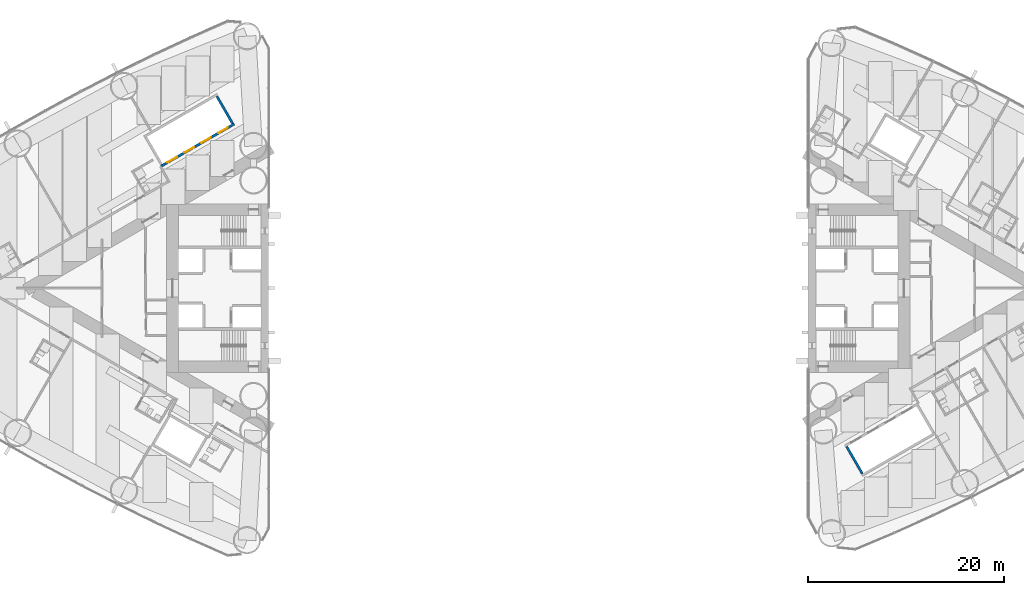
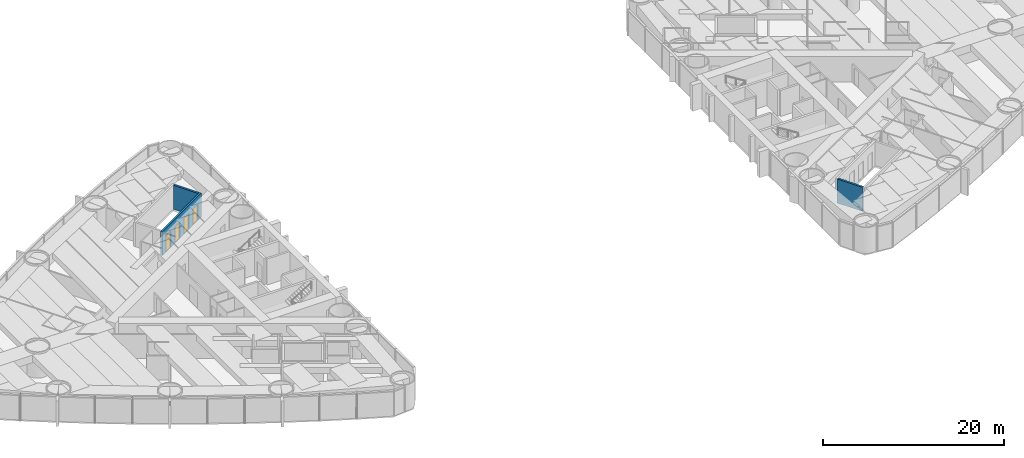
# One storey, part 13 of 19: 4 doors, 3 walls, 4 openings.
"""IFC4 building model written with IfcOpenShell, lengths in metres."""

from ifc_helpers import new_model, si_unit, direction, frame, frame_2d, origin, place, context, subcontext, project, spatial, rectangle, extrude, material, layer, layer_set, type_object, element, fill, save


model = new_model("IFC4")

# Units and contexts
model_context = context("Model", 3, precision=1e-05, world=origin(), true_north=direction((0.0, 1.0)))
body_context = subcontext(model_context, "Body", "Model", "MODEL_VIEW")
ifc_project = project(units=[si_unit("LENGTHUNIT", "METRE"), si_unit("AREAUNIT", "SQUARE_METRE"), si_unit("VOLUMEUNIT", "CUBIC_METRE"), si_unit("PLANEANGLEUNIT", "RADIAN"), si_unit("MASSUNIT", "GRAM", prefix="KILO")], contexts=[model_context])

# Site, building, storey
site_placement = place(None, origin())
site = spatial("IfcSite", under=ifc_project, at=site_placement, CompositionType="ELEMENT")
building_placement = place(site_placement, origin())
building = spatial("IfcBuilding", under=site, at=building_placement, Name="Lancet Gate Hotel", CompositionType="ELEMENT")
storey_placement = place(building_placement, frame((0.0, 0.0, 32.0)))
storey = spatial("IfcBuildingStorey", under=building, at=storey_placement, Name="L07", CompositionType="ELEMENT", Elevation=32.0)

# Wall, openings, doors
ifc_material_1 = material(Name="Gypsum board partition")
ifc_layer = layer(ifc_material_1, 0.25)
ifc_layer_set = layer_set([ifc_layer], Name="Lift shaft partition 250")
wall_type = type_object("IfcWallType", Name="Lift shaft partition 250", PredefinedType="PARTITIONING", material=ifc_layer_set)
wall_placement = place(storey_placement, frame((-31.010498046875, 16.747314453125, 0.0), z_axis=(0.0, 0.0, 1.0), x_axis=(-0.866028165386, -0.499995216735, 0.0)))
wall = element("IfcWall", 1, at=wall_placement, inside=storey, type_object=wall_type, Name="T1 lift shaft wall LR L07", PredefinedType="PARTITIONING", context=body_context, shape_type="SweptSolid", body=[
    extrude(rectangle(XDim=8.60009765625, YDim=0.25, at=frame_2d((4.300048828125, 0.0))), origin(), (0.0, 0.0, 1.0), 3.25),
])
opening_1_placement = place(wall_placement, frame((0.75, 0.0, 0.0)))
opening_1 = element("IfcOpeningElement", 2, at=opening_1_placement, cuts=wall, Name="Opening T1-LR1-L07", PredefinedType="OPENING", context=body_context, shape_type="SweptSolid", body=[
    extrude(rectangle(XDim=1.10009765625, YDim=2.199951171875, at=frame_2d((0.550048828125, 1.10009765625))), frame((0.0, 0.135009765625, 0.0), z_axis=(0.0, -1.0, 0.0), x_axis=(1.0, 0.0, 0.0)), (0.0, 0.0, 1.0), 0.27001953125),
])
opening_2_placement = place(wall_placement, frame((2.75, 0.0, 0.0)))
opening_2 = element("IfcOpeningElement", 3, at=opening_2_placement, cuts=wall, Name="Opening T1-LR2-L07", PredefinedType="OPENING", context=body_context, shape_type="SweptSolid", body=[
    extrude(rectangle(XDim=1.10009765625, YDim=2.199951171875, at=frame_2d((0.550048828125, 1.10009765625))), frame((0.0, 0.135009765625, 0.0), z_axis=(0.0, -1.0, 0.0), x_axis=(1.0, 0.0, 0.0)), (0.0, 0.0, 1.0), 0.27001953125),
])
opening_3_placement = place(wall_placement, frame((4.75, 0.0, 0.0)))
opening_3 = element("IfcOpeningElement", 4, at=opening_3_placement, cuts=wall, Name="Opening T1-LR3-L07", PredefinedType="OPENING", context=body_context, shape_type="SweptSolid", body=[
    extrude(rectangle(XDim=1.10009765625, YDim=2.199951171875, at=frame_2d((0.550048828125, 1.10009765625))), frame((0.0, 0.135009765625, 0.0), z_axis=(0.0, -1.0, 0.0), x_axis=(1.0, 0.0, 0.0)), (0.0, 0.0, 1.0), 0.27001953125),
])
opening_4_placement = place(wall_placement, frame((6.75, 0.0, 0.0)))
opening_4 = element("IfcOpeningElement", 5, at=opening_4_placement, cuts=wall, Name="Opening T1-LR4-L07", PredefinedType="OPENING", context=body_context, shape_type="SweptSolid", body=[
    extrude(rectangle(XDim=1.10009765625, YDim=2.199951171875, at=frame_2d((0.550048828125, 1.10009765625))), frame((0.0, 0.135009765625, 0.0), z_axis=(0.0, -1.0, 0.0), x_axis=(1.0, 0.0, 0.0)), (0.0, 0.0, 1.0), 0.27001953125),
])
ifc_material_2 = material(Name="Steel door set", Category="steel")
door_type = type_object("IfcDoorType", Name="Lift landing door 1100", OperationType="DOUBLE_DOOR_SLIDING", PredefinedType="USERDEFINED", material=ifc_material_2)
door_1_placement = place(opening_1_placement, origin())
door_1 = element("IfcDoor", 6, at=door_1_placement, inside=storey, type_object=door_type, Name="T1-LR1-L07", ObjectType="LIFT LANDING DOOR", OperationType="DOUBLE_DOOR_SLIDING", OverallHeight=2.199951171875, OverallWidth=1.10009765625, PredefinedType="USERDEFINED", context=body_context, shape_type="SweptSolid", body=[
    extrude(rectangle(XDim=1.10009765625, YDim=2.199951171875, at=frame_2d((0.550048828125, 1.10009765625))), frame((0.0, 0.02490234375, 0.0), z_axis=(0.0, -1.0, 0.0), x_axis=(1.0, 0.0, 0.0)), (0.0, 0.0, 1.0), 0.050048828125),
])
fill(opening_1, door_1)
door_2_placement = place(opening_2_placement, origin())
door_2 = element("IfcDoor", 7, at=door_2_placement, inside=storey, type_object=door_type, Name="T1-LR2-L07", ObjectType="LIFT LANDING DOOR", OperationType="DOUBLE_DOOR_SLIDING", OverallHeight=2.199951171875, OverallWidth=1.10009765625, PredefinedType="USERDEFINED", context=body_context, shape_type="SweptSolid", body=[
    extrude(rectangle(XDim=1.10009765625, YDim=2.199951171875, at=frame_2d((0.550048828125, 1.10009765625))), frame((0.0, 0.02490234375, 0.0), z_axis=(0.0, -1.0, 0.0), x_axis=(1.0, 0.0, 0.0)), (0.0, 0.0, 1.0), 0.050048828125),
])
fill(opening_2, door_2)
door_3_placement = place(opening_3_placement, origin())
door_3 = element("IfcDoor", 8, at=door_3_placement, inside=storey, type_object=door_type, Name="T1-LR3-L07", ObjectType="LIFT LANDING DOOR", OperationType="DOUBLE_DOOR_SLIDING", OverallHeight=2.199951171875, OverallWidth=1.10009765625, PredefinedType="USERDEFINED", context=body_context, shape_type="SweptSolid", body=[
    extrude(rectangle(XDim=1.10009765625, YDim=2.199951171875, at=frame_2d((0.550048828125, 1.10009765625))), frame((0.0, 0.02490234375, 0.0), z_axis=(0.0, -1.0, 0.0), x_axis=(1.0, 0.0, 0.0)), (0.0, 0.0, 1.0), 0.050048828125),
])
fill(opening_3, door_3)
door_4_placement = place(opening_4_placement, origin())
door_4 = element("IfcDoor", 9, at=door_4_placement, inside=storey, type_object=door_type, Name="T1-LR4-L07", ObjectType="LIFT LANDING DOOR", OperationType="DOUBLE_DOOR_SLIDING", OverallHeight=2.199951171875, OverallWidth=1.10009765625, PredefinedType="USERDEFINED", context=body_context, shape_type="SweptSolid", body=[
    extrude(rectangle(XDim=1.10009765625, YDim=2.199951171875, at=frame_2d((0.550048828125, 1.10009765625))), frame((0.0, 0.02490234375, 0.0), z_axis=(0.0, -1.0, 0.0), x_axis=(1.0, 0.0, 0.0)), (0.0, 0.0, 1.0), 0.050048828125),
])
fill(opening_4, door_4)

# Walls
for number, where, z_axis, x_axis, name in (
    (10, (-31.18115234375, 16.79296875, 0.0), (0.0, 0.0, 1.0), (-0.499929347863, 0.866066190972, 0.0), "T1 lift shaft wall LR L07"),
    (11, (31.441162109375, -16.14306640625, 0.0), (0.0, 0.0, 1.0), (0.499929347863, -0.866066190972, 0.0), "T2 lift shaft wall LR L07"),
):
    element("IfcWall", number, at=place(storey_placement, frame(where, z_axis=z_axis, x_axis=x_axis)), inside=storey, type_object=wall_type, Name=name, PredefinedType="PARTITIONING", context=body_context, shape_type="SweptSolid", body=[
        extrude(rectangle(XDim=3.20068359375, YDim=0.25, at=frame_2d((1.600341796875, 0.0))), origin(), (0.0, 0.0, 1.0), 3.25),
    ])

save(model, "model.ifc")
